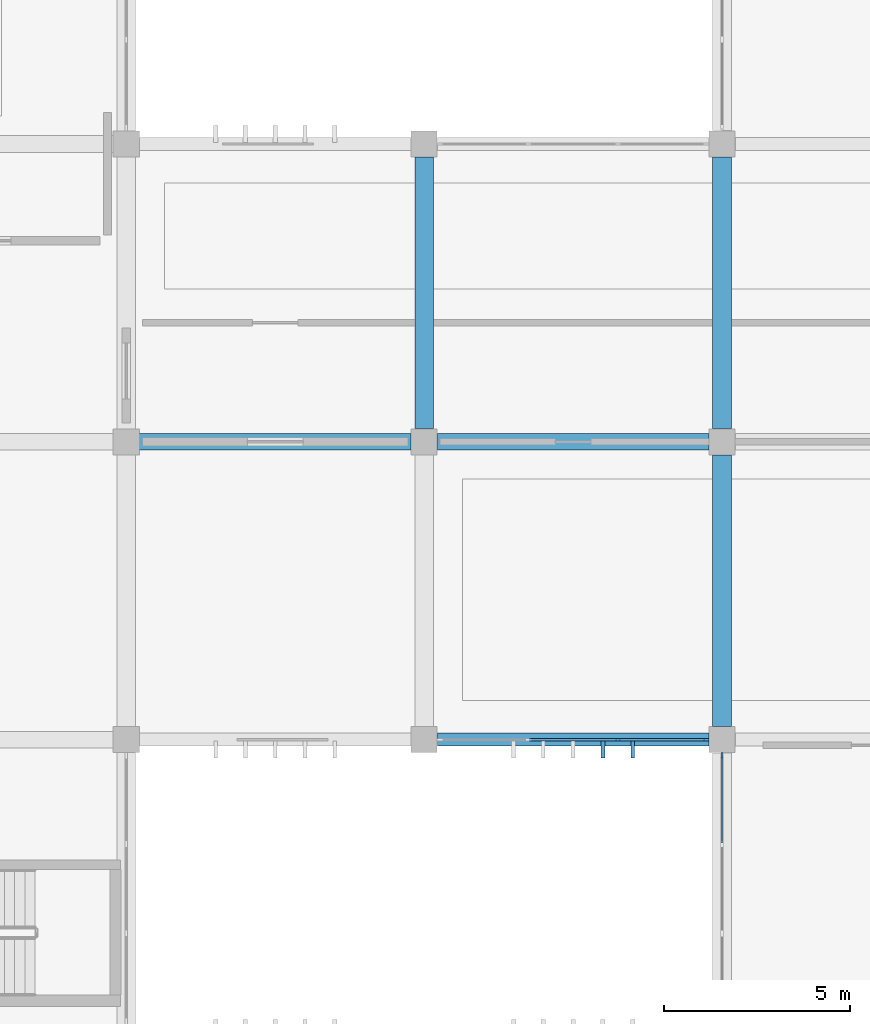
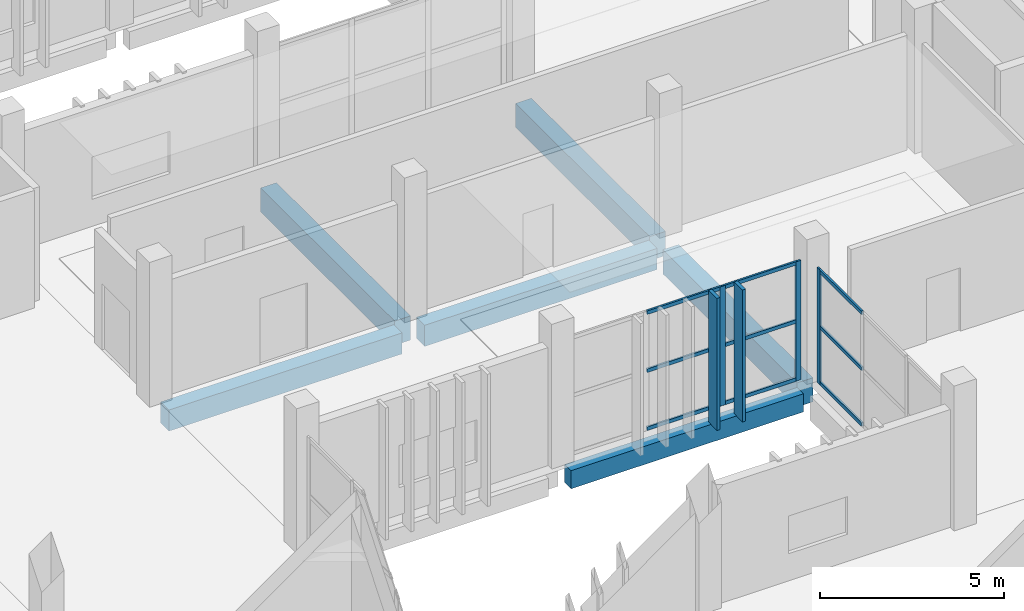
# One storey, part 35 of 117: 14 members, 6 beams, 2 elements without a shape of their own.
"""IFC4 building model written with IfcOpenShell, lengths in metres."""

from ifc_helpers import new_model, si_unit, direction, frame, origin, origin_2d, place, context, subcontext, project, spatial, rectangle, extrude, material, layer, layer_set, material_profile, profile_set, type_object, element, aggregate, save


model = new_model("IFC4")

# Units and contexts
model_context = context("Model", 3, precision=1e-05, world=origin(), true_north=direction((0.0, 1.0)))
body_context = subcontext(model_context, "Body", "Model", "MODEL_VIEW")
ifc_project = project(units=[si_unit("LENGTHUNIT", "METRE"), si_unit("AREAUNIT", "SQUARE_METRE"), si_unit("VOLUMEUNIT", "CUBIC_METRE"), si_unit("PLANEANGLEUNIT", "RADIAN"), si_unit("MASSUNIT", "GRAM", prefix="KILO")], contexts=[model_context])

# Site, building, storey
site_placement = place(None, origin())
site = spatial("IfcSite", under=ifc_project, at=site_placement, CompositionType="ELEMENT")
building_placement = place(site_placement, origin())
building = spatial("IfcBuilding", under=site, at=building_placement, Name="Jelvoka-Kovrelna Polytechnic", CompositionType="ELEMENT")
storey_placement = place(building_placement, origin())
storey = spatial("IfcBuildingStorey", under=building, at=storey_placement, Name="L01", CompositionType="ELEMENT", Elevation=0.0)

# Beams
ifc_material_1 = material(Name="Concrete C40/50", Category="concrete")
ifc_material_profile_1 = material_profile(ifc_material_1, rectangle(XDim=0.449951171875, YDim=0.699951171875, at=origin_2d()), Name="RC 450x700")
ifc_profile_set_1 = profile_set([ifc_material_profile_1], Name="Concrete C40/50")
beam_type_1 = type_object("IfcBeamType", Name="Beam_RC_450x700", PredefinedType="BEAM", material=ifc_profile_set_1)
beam_1_placement = place(storey_placement, frame((56.330078125, 40.0, -0.7548828125), z_axis=(1.0, 0.0, 0.0), x_axis=(0.0, 1.0, 0.0)))
element("IfcBeam", 1, at=beam_1_placement, inside=storey, type_object=beam_type_1, Name="L01 beam 0373", PredefinedType="BEAM", context=body_context, shape_type="SweptSolid", body=[
    extrude(rectangle(XDim=0.449951171875, YDim=0.699951171875, at=origin_2d()), origin(), (0.0, 0.0, 1.0), 7.31494140625),
])
beam_2_placement = place(storey_placement, frame((64.35498046875, 40.0, -0.7548828125), z_axis=(1.0, 0.0, 0.0), x_axis=(0.0, 1.0, 0.0)))
element("IfcBeam", 2, at=beam_2_placement, inside=storey, type_object=beam_type_1, Name="L01 beam 0374", PredefinedType="BEAM", context=body_context, shape_type="SweptSolid", body=[
    extrude(rectangle(XDim=0.449951171875, YDim=0.699951171875, at=origin_2d()), origin(), (0.0, 0.0, 1.0), 7.2900390625),
])
ifc_material_2 = material(Name="Concrete C40/50", Category="concrete")
ifc_material_profile_2 = material_profile(ifc_material_2, rectangle(XDim=0.5, YDim=0.800048828125, at=origin_2d()), Name="RC 500x800")
ifc_profile_set_2 = profile_set([ifc_material_profile_2], Name="Concrete C40/50")
beam_type_2 = type_object("IfcBeamType", Name="Beam_RC_500x800", PredefinedType="BEAM", material=ifc_profile_set_2)
for number, where, z_axis, x_axis, name in (
    (3, (64.0, 40.35498046875, -0.804931640625), (0.0, 1.0, 0.0), (-1.0, 0.0, 0.0), "L01 beam 0389"),
    (4, (72.0, 32.35498046875, -0.804931640625), (0.0, 1.0, 0.0), (-1.0, 0.0, 0.0), "L01 beam 0390"),
    (5, (72.0, 40.35498046875, -0.804931640625), (0.0, 1.0, 0.0), (-1.0, 0.0, 0.0), "L01 beam 0391"),
):
    element("IfcBeam", number, at=place(storey_placement, frame(where, z_axis=z_axis, x_axis=x_axis)), inside=storey, type_object=beam_type_2, Name=name, PredefinedType="BEAM", context=body_context, shape_type="SweptSolid", body=[
        extrude(rectangle(XDim=0.5, YDim=0.800048828125, at=origin_2d()), origin(), (0.0, 0.0, 1.0), 7.2900390625),
    ])

# Members
ifc_material_3 = material(Name="Precast concrete C40/50", Category="concrete")
ifc_material_profile_3 = material_profile(ifc_material_3, rectangle(XDim=0.10009765625, YDim=0.449951171875, at=origin_2d()), Name="PC 100x450")
ifc_profile_set_3 = profile_set([ifc_material_profile_3], Name="Precast concrete C40/50")
member_type_1 = type_object("IfcMemberType", Name="Louvre_Fin_100x450", PredefinedType="USERDEFINED", material=ifc_profile_set_3)
for number, where, z_axis, x_axis, name in (
    (6, (68.800048828125, 31.735107421875, -0.419921875), (0.0, 0.0, 1.0), (1.0, 0.0, 0.0), "L01 B2W south vertical solar louvre fin 0569"),
    (7, (69.60009765625, 31.735107421875, -0.419921875), (0.0, 0.0, 1.0), (1.0, 0.0, 0.0), "L01 B2W south vertical solar louvre fin 0570"),
):
    element("IfcMember", number, at=place(storey_placement, frame(where, z_axis=z_axis, x_axis=x_axis)), inside=storey, type_object=member_type_1, Name=name, ObjectType="SUNSHADE", PredefinedType="USERDEFINED", context=body_context, shape_type="SweptSolid", body=[
        extrude(rectangle(XDim=0.10009765625, YDim=0.449951171875, at=origin_2d()), origin(), (0.0, 0.0, 1.0), 4.3798828125),
    ])

# Curtain wall, members
ifc_material_4 = material(Name="Anodised aluminium 6063-T6", Category="aluminium")
ifc_layer_1 = layer(ifc_material_4, 0.159912109375)
ifc_layer_set_1 = layer_set([ifc_layer_1], Name="Anodised aluminium 6063-T6")
curtain_wall_type_1 = type_object("IfcCurtainWallType", Name="CW_Recessed_A", PredefinedType="NOTDEFINED", material=ifc_layer_set_1)
curtain_wall_1_placement = place(storey_placement, origin())
curtain_wall_1 = element("IfcCurtainWall", 8, at=curtain_wall_1_placement, inside=storey, type_object=curtain_wall_type_1, Name="L01 glazed curtain wall 009", PredefinedType="NOTDEFINED")
ifc_material_5 = material(Name="Anodised aluminium 6063-T6", Category="aluminium")
ifc_material_profile_4 = material_profile(ifc_material_5, rectangle(XDim=0.06005859375, YDim=0.159912109375, at=origin_2d()), Name="ALU 60x160")
ifc_profile_set_4 = profile_set([ifc_material_profile_4], Name="Anodised aluminium 6063-T6")
member_type_2 = type_object("IfcMemberType", Name="Mullion_M-01", PredefinedType="MULLION", material=ifc_profile_set_4)
member_1_placement = place(storey_placement, frame((71.570068359375, 32.0, -0.02490234375), z_axis=(0.0, 0.0, 1.0), x_axis=(0.0, -1.0, 0.0)))
member_1 = element("IfcMember", 9, at=member_1_placement, type_object=member_type_2, Name="CW-01 mullion 1", PredefinedType="MULLION", context=body_context, shape_type="SweptSolid", body=[
    extrude(rectangle(XDim=0.06005859375, YDim=0.159912109375, at=origin_2d()), origin(), (0.0, 0.0, 1.0), 3.9599609375),
])
member_2_placement = place(storey_placement, frame((69.199951171875, 32.0, -0.02490234375), z_axis=(0.0, 0.0, 1.0), x_axis=(0.0, -1.0, 0.0)))
member_2 = element("IfcMember", 10, at=member_2_placement, type_object=member_type_2, Name="CW-01 mullion 2", PredefinedType="MULLION", context=body_context, shape_type="SweptSolid", body=[
    extrude(rectangle(XDim=0.06005859375, YDim=0.159912109375, at=origin_2d()), origin(), (0.0, 0.0, 1.0), 3.9599609375),
])

# Curtain wall, member
ifc_material_6 = material(Name="Anodised aluminium 6063-T6", Category="aluminium")
ifc_layer_2 = layer(ifc_material_6, 0.159912109375)
ifc_layer_set_2 = layer_set([ifc_layer_2], Name="Anodised aluminium 6063-T6")
curtain_wall_type_2 = type_object("IfcCurtainWallType", Name="CW_LinkBridge", PredefinedType="NOTDEFINED", material=ifc_layer_set_2)
curtain_wall_2_placement = place(storey_placement, origin())
curtain_wall_2 = element("IfcCurtainWall", 11, at=curtain_wall_2_placement, inside=storey, type_object=curtain_wall_type_2, Name="L01 glazed curtain wall 104", PredefinedType="NOTDEFINED")
ifc_material_7 = material(Name="Anodised aluminium 6063-T6", Category="aluminium")
ifc_material_profile_5 = material_profile(ifc_material_7, rectangle(XDim=0.06005859375, YDim=0.159912109375, at=origin_2d()), Name="ALU 60x160")
ifc_profile_set_5 = profile_set([ifc_material_profile_5], Name="Anodised aluminium 6063-T6")
member_type_3 = type_object("IfcMemberType", Name="Mullion_M-04", PredefinedType="MULLION", material=ifc_profile_set_5)
member_3_placement = place(storey_placement, frame((72.0, 31.570068359375, -0.02490234375), z_axis=(0.0, 0.0, 1.0), x_axis=(-1.0, 0.0, 0.0)))
member_3 = element("IfcMember", 12, at=member_3_placement, type_object=member_type_3, Name="CW-04 mullion 4", PredefinedType="MULLION", context=body_context, shape_type="SweptSolid", body=[
    extrude(rectangle(XDim=0.06005859375, YDim=0.159912109375, at=origin_2d()), origin(), (0.0, 0.0, 1.0), 3.81005859375),
])

# Beam
ifc_material_8 = material(Name="Concrete C40/50", Category="concrete")
ifc_material_profile_6 = material_profile(ifc_material_8, rectangle(XDim=0.35009765625, YDim=0.60009765625, at=origin_2d()), Name="RC 350x600")
ifc_profile_set_6 = profile_set([ifc_material_profile_6], Name="Concrete C40/50")
beam_type_3 = type_object("IfcBeamType", Name="Spandrel_RC_350x600", PredefinedType="SPANDREL", material=ifc_profile_set_6)
beam_3_placement = place(storey_placement, frame((64.35498046875, 32.0, -0.705078125), z_axis=(1.0, 0.0, 0.0), x_axis=(0.0, 1.0, 0.0)))
element("IfcBeam", 13, at=beam_3_placement, inside=storey, type_object=beam_type_3, Name="L01 beam 0367", PredefinedType="SPANDREL", context=body_context, shape_type="SweptSolid", body=[
    extrude(rectangle(XDim=0.35009765625, YDim=0.60009765625, at=origin_2d()), origin(), (0.0, 0.0, 1.0), 7.2900390625),
])

# Member
ifc_material_9 = material(Name="Anodised aluminium 6063-T6", Category="aluminium")
ifc_material_profile_7 = material_profile(ifc_material_9, rectangle(XDim=0.06005859375, YDim=0.1201171875, at=origin_2d()), Name="ALU 60x120")
ifc_profile_set_7 = profile_set([ifc_material_profile_7], Name="Anodised aluminium 6063-T6")
member_type_4 = type_object("IfcMemberType", Name="Transom_T-01", PredefinedType="USERDEFINED", material=ifc_profile_set_7)
member_4_placement = place(storey_placement, frame((71.5400390625, 32.0, 0.030029296875), z_axis=(-1.0, 0.0, 0.0), x_axis=(0.0, -1.0, 0.0)))
member_4 = element("IfcMember", 14, at=member_4_placement, type_object=member_type_4, Name="CW-01 transom 1.1", ObjectType="TRANSOM", PredefinedType="USERDEFINED", context=body_context, shape_type="SweptSolid", body=[
    extrude(rectangle(XDim=0.06005859375, YDim=0.1201171875, at=origin_2d()), origin(), (0.0, 0.0, 1.0), 2.31005859375),
])

member_5_placement = place(storey_placement, frame((71.5400390625, 32.0, 1.955078125), z_axis=(-1.0, 0.0, 0.0), x_axis=(0.0, -1.0, 0.0)))
member_5 = element("IfcMember", 15, at=member_5_placement, type_object=member_type_4, Name="CW-01 transom 1.2", ObjectType="TRANSOM", PredefinedType="USERDEFINED", context=body_context, shape_type="SweptSolid", body=[
    extrude(rectangle(XDim=0.06005859375, YDim=0.1201171875, at=origin_2d()), origin(), (0.0, 0.0, 1.0), 2.31005859375),
])

member_6_placement = place(storey_placement, frame((71.5400390625, 32.0, 3.8798828125), z_axis=(-1.0, 0.0, 0.0), x_axis=(0.0, -1.0, 0.0)))
member_6 = element("IfcMember", 16, at=member_6_placement, type_object=member_type_4, Name="CW-01 transom 1.3", ObjectType="TRANSOM", PredefinedType="USERDEFINED", context=body_context, shape_type="SweptSolid", body=[
    extrude(rectangle(XDim=0.06005859375, YDim=0.1201171875, at=origin_2d()), origin(), (0.0, 0.0, 1.0), 2.31005859375),
])

member_7_placement = place(storey_placement, frame((69.169921875, 32.0, 0.030029296875), z_axis=(-1.0, 0.0, 0.0), x_axis=(0.0, -1.0, 0.0)))
member_7 = element("IfcMember", 17, at=member_7_placement, type_object=member_type_4, Name="CW-01 transom 2.1", ObjectType="TRANSOM", PredefinedType="USERDEFINED", context=body_context, shape_type="SweptSolid", body=[
    extrude(rectangle(XDim=0.06005859375, YDim=0.1201171875, at=origin_2d()), origin(), (0.0, 0.0, 1.0), 2.33984375),
])

member_8_placement = place(storey_placement, frame((69.169921875, 32.0, 1.955078125), z_axis=(-1.0, 0.0, 0.0), x_axis=(0.0, -1.0, 0.0)))
member_8 = element("IfcMember", 18, at=member_8_placement, type_object=member_type_4, Name="CW-01 transom 2.2", ObjectType="TRANSOM", PredefinedType="USERDEFINED", context=body_context, shape_type="SweptSolid", body=[
    extrude(rectangle(XDim=0.06005859375, YDim=0.1201171875, at=origin_2d()), origin(), (0.0, 0.0, 1.0), 2.33984375),
])

member_9_placement = place(storey_placement, frame((69.169921875, 32.0, 3.8798828125), z_axis=(-1.0, 0.0, 0.0), x_axis=(0.0, -1.0, 0.0)))
member_9 = element("IfcMember", 19, at=member_9_placement, type_object=member_type_4, Name="CW-01 transom 2.3", ObjectType="TRANSOM", PredefinedType="USERDEFINED", context=body_context, shape_type="SweptSolid", body=[
    extrude(rectangle(XDim=0.06005859375, YDim=0.1201171875, at=origin_2d()), origin(), (0.0, 0.0, 1.0), 2.33984375),
])

aggregate(curtain_wall_1, [member_1, member_2, member_4, member_5, member_6, member_7, member_8, member_9])

ifc_material_10 = material(Name="Anodised aluminium 6063-T6", Category="aluminium")
ifc_material_profile_8 = material_profile(ifc_material_10, rectangle(XDim=0.06005859375, YDim=0.1201171875, at=origin_2d()), Name="ALU 60x120")
ifc_profile_set_8 = profile_set([ifc_material_profile_8], Name="Anodised aluminium 6063-T6")
member_type_5 = type_object("IfcMemberType", Name="Transom_T-04", PredefinedType="USERDEFINED", material=ifc_profile_set_8)
member_10_placement = place(storey_placement, frame((72.0, 29.22998046875, 0.030029296875), z_axis=(0.0, 1.0, 0.0), x_axis=(-1.0, 0.0, 0.0)))
member_10 = element("IfcMember", 20, at=member_10_placement, type_object=member_type_5, Name="CW-04 transom 3.1", ObjectType="TRANSOM", PredefinedType="USERDEFINED", context=body_context, shape_type="SweptSolid", body=[
    extrude(rectangle(XDim=0.06005859375, YDim=0.1201171875, at=origin_2d()), origin(), (0.0, 0.0, 1.0), 2.31005859375),
])

member_11_placement = place(storey_placement, frame((72.0, 29.22998046875, 1.8798828125), z_axis=(0.0, 1.0, 0.0), x_axis=(-1.0, 0.0, 0.0)))
member_11 = element("IfcMember", 21, at=member_11_placement, type_object=member_type_5, Name="CW-04 transom 3.2", ObjectType="TRANSOM", PredefinedType="USERDEFINED", context=body_context, shape_type="SweptSolid", body=[
    extrude(rectangle(XDim=0.06005859375, YDim=0.1201171875, at=origin_2d()), origin(), (0.0, 0.0, 1.0), 2.31005859375),
])

member_12_placement = place(storey_placement, frame((72.0, 29.22998046875, 3.72998046875), z_axis=(0.0, 1.0, 0.0), x_axis=(-1.0, 0.0, 0.0)))
member_12 = element("IfcMember", 22, at=member_12_placement, type_object=member_type_5, Name="CW-04 transom 3.3", ObjectType="TRANSOM", PredefinedType="USERDEFINED", context=body_context, shape_type="SweptSolid", body=[
    extrude(rectangle(XDim=0.06005859375, YDim=0.1201171875, at=origin_2d()), origin(), (0.0, 0.0, 1.0), 2.31005859375),
])

aggregate(curtain_wall_2, [member_3, member_10, member_11, member_12])

save(model, "model.ifc")
